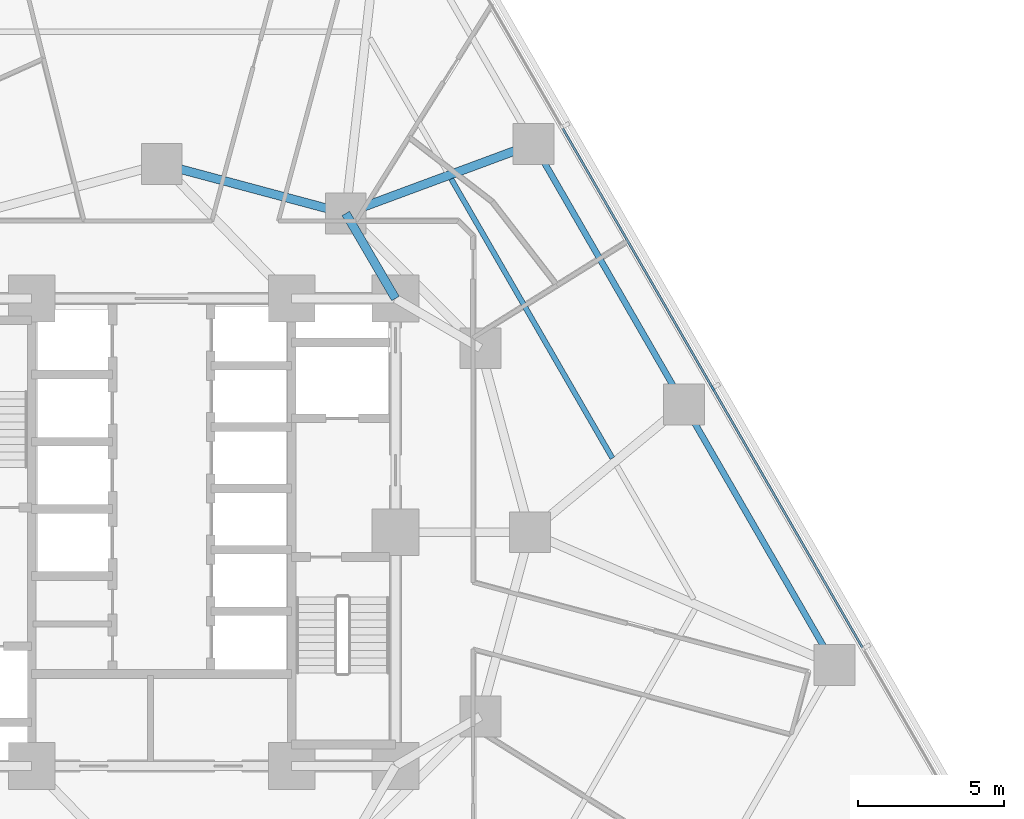
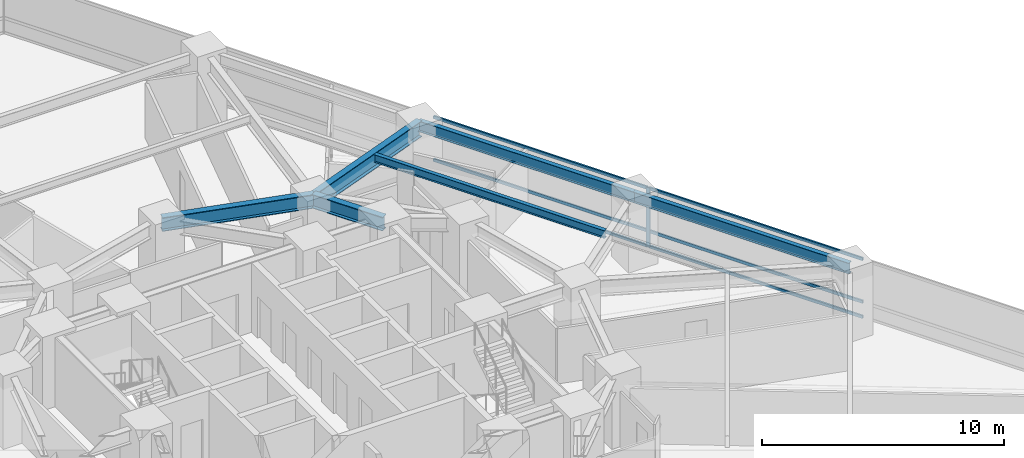
# One storey, part 5 of 15: 7 members, 6 beams, 1 element without a shape of its own.
"""IFC4 building model written with IfcOpenShell, lengths in metres."""

from ifc_helpers import new_model, si_unit, direction, frame, origin, origin_2d, place, context, subcontext, project, spatial, rectangle, i_section, extrude, material, layer, layer_set, material_profile, profile_set, type_object, element, aggregate, save


model = new_model("IFC4")

# Units and contexts
model_context = context("Model", 3, precision=1e-05, world=origin(), true_north=direction((0.0, 1.0)))
body_context = subcontext(model_context, "Body", "Model", "MODEL_VIEW")
ifc_project = project(units=[si_unit("LENGTHUNIT", "METRE"), si_unit("AREAUNIT", "SQUARE_METRE"), si_unit("VOLUMEUNIT", "CUBIC_METRE"), si_unit("PLANEANGLEUNIT", "RADIAN"), si_unit("MASSUNIT", "GRAM", prefix="KILO")], contexts=[model_context])

# Site, building, storey
site_placement = place(None, origin())
site = spatial("IfcSite", under=ifc_project, at=site_placement, CompositionType="ELEMENT")
building_placement = place(site_placement, origin())
building = spatial("IfcBuilding", under=site, at=building_placement, Name="Terralouvre Media Tower", CompositionType="ELEMENT")
storey_placement = place(building_placement, frame((0.0, 0.0, 33.39990234375)))
storey = spatial("IfcBuildingStorey", under=building, at=storey_placement, Name="L07", CompositionType="ELEMENT", Elevation=33.39990234375)

# Beam
ifc_material_1 = material(Name="Structural steel S355J2", Category="steel")
ifc_material_profile_1 = material_profile(ifc_material_1, i_section(OverallWidth=0.179931640625, OverallDepth=0.39990234375, WebThickness=0.008544921875, FlangeThickness=0.013427734375, at=origin_2d()), Name="IPE 400")
ifc_profile_set_1 = profile_set([ifc_material_profile_1], Name="Structural steel S355J2")
beam_type_1 = type_object("IfcBeamType", Name="Composite Floor Joist J-IPE400 (IPE 400)", PredefinedType="JOIST", material=ifc_profile_set_1)
beam_1_placement = place(storey_placement, frame((15.426025390625, 2.535400390625, 3.300048828125), z_axis=(-0.499996323086, 0.866027526641, 0.0), x_axis=(-0.866027526641, -0.499996323086, 0.0)))
element("IfcBeam", 1, at=beam_1_placement, inside=storey, type_object=beam_type_1, Name="L07 Framing Beam JT-L07-07", PredefinedType="JOIST", context=body_context, shape_type="SweptSolid", body=[
    extrude(i_section(OverallWidth=0.179931640625, OverallDepth=0.39990234375, WebThickness=0.008544921875, FlangeThickness=0.013427734375, at=origin_2d()), origin(), (0.0, 0.0, 1.0), 11.03466796875),
])

# Curtain wall, members
ifc_material_2 = material(Name="Low-iron laminated double glazing with solar-control coating", Category="glass")
ifc_layer = layer(ifc_material_2, 0.1650390625, Name="Lower Media Tower Unitised Curtain Wall CW-02")
ifc_layer_set = layer_set([ifc_layer], Name="Low-iron laminated double glazing with solar-control coating")
curtain_wall_type = type_object("IfcCurtainWallType", Name="Lower Media Tower Unitised Curtain Wall CW-02", PredefinedType="NOTDEFINED", material=ifc_layer_set)
curtain_wall_placement = place(storey_placement, origin())
curtain_wall = element("IfcCurtainWall", 2, at=curtain_wall_placement, inside=storey, type_object=curtain_wall_type, Name="L07 Facade Curtain Wall F1", PredefinedType="NOTDEFINED")
ifc_material_3 = material(Name="Anodised extruded aluminium 6063-T6", Category="aluminium")
ifc_material_profile_2 = material_profile(ifc_material_3, rectangle(XDim=0.074951171875, YDim=0.14990234375, at=origin_2d()), Name="ALU 75x150")
ifc_profile_set_2 = profile_set([ifc_material_profile_2], Name="Anodised extruded aluminium 6063-T6")
member_type_1 = type_object("IfcMemberType", Name="Curtain-Wall Horizontal Transom TR-150", PredefinedType="USERDEFINED", material=ifc_profile_set_2)
member_1_placement = place(storey_placement, frame((23.984619140625, -3.94921875, 0.03759765625), z_axis=(-0.499991148707, 0.866030514021, 0.0), x_axis=(-0.866030514021, -0.499991148707, 0.0)))
member_1 = element("IfcMember", 3, at=member_1_placement, type_object=member_type_1, Name="CW-02 transom 2.1", ObjectType="TRANSOM", PredefinedType="USERDEFINED", context=body_context, shape_type="SweptSolid", body=[
    extrude(rectangle(XDim=0.074951171875, YDim=0.14990234375, at=origin_2d()), origin(), (0.0, 0.0, 1.0), 10.224853515625),
])
member_2_placement = place(storey_placement, frame((23.984619140625, -3.94921875, 0.800048828125), z_axis=(-0.499991148707, 0.866030514021, 0.0), x_axis=(-0.866030514021, -0.499991148707, 0.0)))
member_2 = element("IfcMember", 4, at=member_2_placement, type_object=member_type_1, Name="CW-02 transom 2.2", ObjectType="TRANSOM", PredefinedType="USERDEFINED", context=body_context, shape_type="SweptSolid", body=[
    extrude(rectangle(XDim=0.074951171875, YDim=0.14990234375, at=origin_2d()), origin(), (0.0, 0.0, 1.0), 10.224853515625),
])
member_3_placement = place(storey_placement, frame((23.984619140625, -3.94921875, 2.962646484375), z_axis=(-0.499991148707, 0.866030514021, 0.0), x_axis=(-0.866030514021, -0.499991148707, 0.0)))
member_3 = element("IfcMember", 5, at=member_3_placement, type_object=member_type_1, Name="CW-02 transom 2.3", ObjectType="TRANSOM", PredefinedType="USERDEFINED", context=body_context, shape_type="SweptSolid", body=[
    extrude(rectangle(XDim=0.074951171875, YDim=0.14990234375, at=origin_2d()), origin(), (0.0, 0.0, 1.0), 10.224853515625),
])
member_4_placement = place(storey_placement, frame((18.834716796875, 4.970947265625, 0.03759765625), z_axis=(-0.50000905659, 0.866020174897, 0.0), x_axis=(-0.866020174897, -0.50000905659, 0.0)))
member_4 = element("IfcMember", 6, at=member_4_placement, type_object=member_type_1, Name="CW-02 transom 3.1", ObjectType="TRANSOM", PredefinedType="USERDEFINED", context=body_context, shape_type="SweptSolid", body=[
    extrude(rectangle(XDim=0.074951171875, YDim=0.14990234375, at=origin_2d()), origin(), (0.0, 0.0, 1.0), 10.224853515625),
])
member_5_placement = place(storey_placement, frame((18.834716796875, 4.970947265625, 0.800048828125), z_axis=(-0.50000905659, 0.866020174897, 0.0), x_axis=(-0.866020174897, -0.50000905659, 0.0)))
member_5 = element("IfcMember", 7, at=member_5_placement, type_object=member_type_1, Name="CW-02 transom 3.2", ObjectType="TRANSOM", PredefinedType="USERDEFINED", context=body_context, shape_type="SweptSolid", body=[
    extrude(rectangle(XDim=0.074951171875, YDim=0.14990234375, at=origin_2d()), origin(), (0.0, 0.0, 1.0), 10.224853515625),
])
member_6_placement = place(storey_placement, frame((18.834716796875, 4.970947265625, 2.962646484375), z_axis=(-0.50000905659, 0.866020174897, 0.0), x_axis=(-0.866020174897, -0.50000905659, 0.0)))
member_6 = element("IfcMember", 8, at=member_6_placement, type_object=member_type_1, Name="CW-02 transom 3.3", ObjectType="TRANSOM", PredefinedType="USERDEFINED", context=body_context, shape_type="SweptSolid", body=[
    extrude(rectangle(XDim=0.074951171875, YDim=0.14990234375, at=origin_2d()), origin(), (0.0, 0.0, 1.0), 10.224853515625),
])
ifc_material_4 = material(Name="Anodised extruded aluminium 6063-T6", Category="aluminium")
ifc_material_profile_3 = material_profile(ifc_material_4, rectangle(XDim=0.074951171875, YDim=0.179931640625, at=origin_2d()), Name="ALU 75x180")
ifc_profile_set_3 = profile_set([ifc_material_profile_3], Name="Anodised extruded aluminium 6063-T6")
member_type_2 = type_object("IfcMemberType", Name="Curtain-Wall Vertical Mullion ML-180", PredefinedType="MULLION", material=ifc_profile_set_3)
member_7_placement = place(storey_placement, frame((18.853515625, 4.938232421875, 0.0), z_axis=(0.0, 0.0, 1.0), x_axis=(-0.866025412057, -0.499999985671, 0.0)))
member_7 = element("IfcMember", 9, at=member_7_placement, type_object=member_type_2, Name="CW-02 mullion 3", PredefinedType="MULLION", context=body_context, shape_type="SweptSolid", body=[
    extrude(rectangle(XDim=0.074951171875, YDim=0.179931640625, at=origin_2d()), origin(), (0.0, 0.0, 1.0), 3.0),
])
aggregate(curtain_wall, [member_7, member_1, member_2, member_3, member_4, member_5, member_6])

# Beams
ifc_material_5 = material(Name="Structural steel S355J2", Category="steel")
ifc_material_profile_4 = material_profile(ifc_material_5, i_section(OverallWidth=0.2099609375, OverallDepth=0.550048828125, WebThickness=0.010986328125, FlangeThickness=0.01708984375, at=origin_2d()), Name="IPE 550")
ifc_profile_set_4 = profile_set([ifc_material_profile_4], Name="Structural steel S355J2")
beam_type_2 = type_object("IfcBeamType", Name="Perimeter Spandrel Beam SPB-550 (IPE 550)", PredefinedType="SPANDREL", material=ifc_profile_set_4)
for number, where, z_axis, x_axis, name in (
    (10, (23.02490234375, -4.546630859375, 3.22509765625), (-0.500016542852, 0.866015852554, 0.0), (-0.866015852554, -0.500016542852, 0.0), "L07 Framing Beam BM-L07-PR06"),
    (11, (17.874755859375, 4.373291015625, 3.22509765625), (-0.49998850195, 0.866032042085, 0.0), (-0.866032042085, -0.49998850195, 0.0), "L07 Framing Beam BM-L07-PR07"),
):
    element("IfcBeam", number, at=place(storey_placement, frame(where, z_axis=z_axis, x_axis=x_axis)), inside=storey, type_object=beam_type_2, Name=name, PredefinedType="SPANDREL", context=body_context, shape_type="SweptSolid", body=[
        extrude(i_section(OverallWidth=0.2099609375, OverallDepth=0.550048828125, WebThickness=0.010986328125, FlangeThickness=0.01708984375, at=origin_2d()), origin(), (0.0, 0.0, 1.0), 10.300048828125),
    ])
ifc_material_6 = material(Name="Structural steel S460M", Category="steel")
ifc_material_profile_5 = material_profile(ifc_material_6, i_section(OverallWidth=0.300048828125, OverallDepth=0.699951171875, WebThickness=0.01708984375, FlangeThickness=0.031982421875, at=origin_2d()), Name="HEB 700")
ifc_profile_set_5 = profile_set([ifc_material_profile_5], Name="Structural steel S460M")
beam_type_3 = type_object("IfcBeamType", Name="Primary Floor Girder B-HEB700 (HEB 700)", PredefinedType="BEAM", material=ifc_profile_set_5)
beam_2_placement = place(storey_placement, frame((6.300048828125, 10.911865234375, 3.150146484375), z_axis=(-0.965920481897, 0.258838989821, 0.0), x_axis=(-0.258838989821, -0.965920481897, 0.0)))
element("IfcBeam", 12, at=beam_2_placement, inside=storey, type_object=beam_type_3, Name="L07 Framing Beam BM-L07-MR08", PredefinedType="BEAM", context=body_context, shape_type="SweptSolid", body=[
    extrude(i_section(OverallWidth=0.300048828125, OverallDepth=0.699951171875, WebThickness=0.01708984375, FlangeThickness=0.031982421875, at=origin_2d()), origin(), (0.0, 0.0, 1.0), 6.522216796875),
])
beam_3_placement = place(storey_placement, frame((8.0, 8.0, 3.150146484375), z_axis=(-0.504172629717, 0.863602894532, 0.0), x_axis=(-0.863602894532, -0.504172629717, 0.0)))
element("IfcBeam", 13, at=beam_3_placement, inside=storey, type_object=beam_type_3, Name="L07 Framing Beam BM-L07-CM08", PredefinedType="BEAM", context=body_context, shape_type="SweptSolid", body=[
    extrude(i_section(OverallWidth=0.300048828125, OverallDepth=0.699951171875, WebThickness=0.01708984375, FlangeThickness=0.031982421875, at=origin_2d()), origin(), (0.0, 0.0, 1.0), 3.371826171875),
])
ifc_material_7 = material(Name="Structural steel S460M", Category="steel")
ifc_material_profile_6 = material_profile(ifc_material_7, i_section(OverallWidth=0.300048828125, OverallDepth=0.800048828125, WebThickness=0.017578125, FlangeThickness=0.032958984375, at=origin_2d()), Name="HEB 800")
ifc_profile_set_6 = profile_set([ifc_material_profile_6], Name="Structural steel S460M")
beam_type_4 = type_object("IfcBeamType", Name="Primary Floor Girder B-HEB800 (HEB 800)", PredefinedType="BEAM", material=ifc_profile_set_6)
beam_4_placement = place(storey_placement, frame((6.300048828125, 10.911865234375, 3.10009765625), z_axis=(0.937652019179, 0.347575446386, 0.0), x_axis=(-0.347575446386, 0.937652019179, 0.0)))
element("IfcBeam", 14, at=beam_4_placement, inside=storey, type_object=beam_type_4, Name="L07 Framing Beam BM-L07-RD08", PredefinedType="BEAM", context=body_context, shape_type="SweptSolid", body=[
    extrude(i_section(OverallWidth=0.300048828125, OverallDepth=0.800048828125, WebThickness=0.017578125, FlangeThickness=0.032958984375, at=origin_2d()), origin(), (0.0, 0.0, 1.0), 6.85205078125),
])

save(model, "model.ifc")
